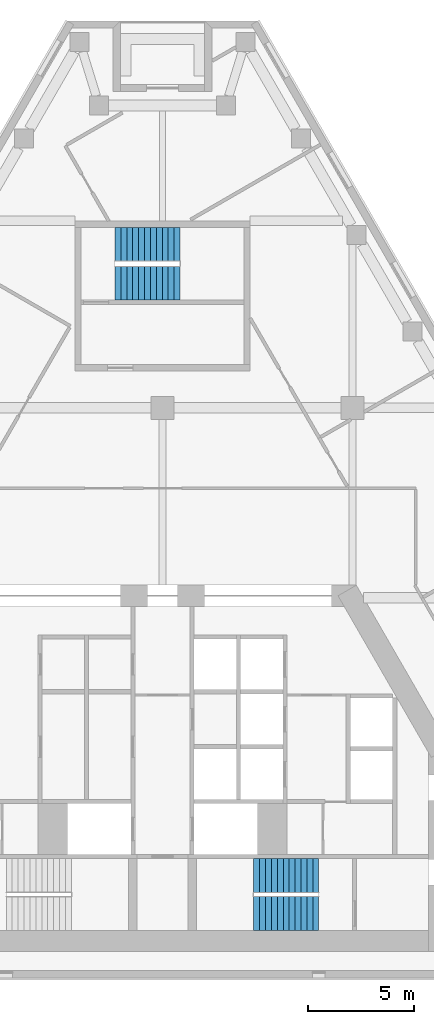
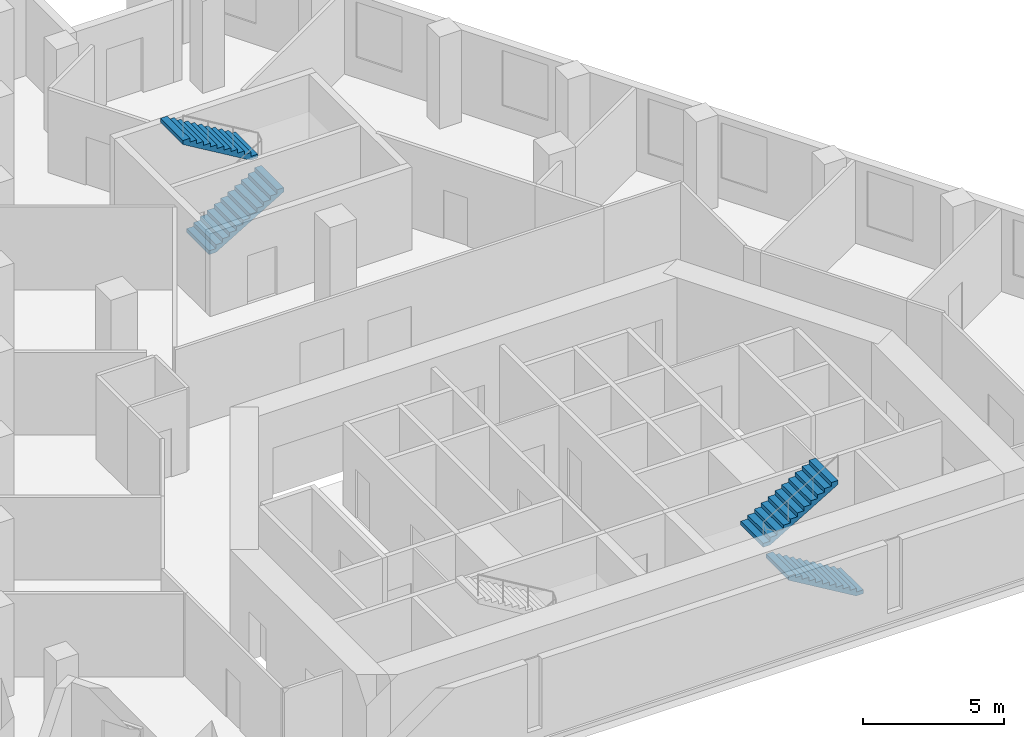
# One storey, part 6 of 7: 4 stair flights, 2 elements without a shape of their own.
"""IFC4 building model written with IfcOpenShell, lengths in metres."""

from ifc_helpers import new_model, si_unit, direction, frame, origin, place, context, subcontext, project, spatial, polyline, outline, extrude, material, type_object, element, aggregate, save


model = new_model("IFC4")

# Units and contexts
model_context = context("Model", 3, precision=1e-05, world=origin(), true_north=direction((0.0, 1.0)))
body_context = subcontext(model_context, "Body", "Model", "MODEL_VIEW")
ifc_project = project(units=[si_unit("LENGTHUNIT", "METRE"), si_unit("AREAUNIT", "SQUARE_METRE"), si_unit("VOLUMEUNIT", "CUBIC_METRE"), si_unit("PLANEANGLEUNIT", "RADIAN"), si_unit("MASSUNIT", "GRAM", prefix="KILO")], contexts=[model_context])

# Site, building, storey
site_placement = place(None, origin())
site = spatial("IfcSite", under=ifc_project, at=site_placement, CompositionType="ELEMENT")
building_placement = place(site_placement, origin())
building = spatial("IfcBuilding", under=site, at=building_placement, Name="Fogline Exchange Tower", CompositionType="ELEMENT")
storey_placement = place(building_placement, frame((0.0, 0.0, 251.5)))
storey = spatial("IfcBuildingStorey", under=building, at=storey_placement, Name="L57", CompositionType="ELEMENT", Elevation=251.5)

# Stair, stair flights
ifc_material = material(Name="Concrete C40", Category="concrete")
stair_type = type_object("IfcStairType", Name="STR24-1667", PredefinedType="HALF_TURN_STAIR", material=ifc_material)
stair_1_placement = place(storey_placement, origin())
stair_1 = element("IfcStair", 1, at=stair_1_placement, inside=storey, type_object=stair_type, Name="Stair ST2", PredefinedType="HALF_TURN_STAIR")
stair_flight_type = type_object("IfcStairFlightType", Name="SF12-1667", PredefinedType="STRAIGHT", material=ifc_material)
stair_flight_1_placement = place(storey_placement, frame((7.39990234375, 3.050048828125, 0.0), z_axis=(0.0, 0.0, 1.0), x_axis=(-1.0, 0.0, 0.0)))
stair_flight_1 = element("IfcStairFlight", 2, at=stair_flight_1_placement, type_object=stair_flight_type, Name="ST2 flight 1", NumberOfRisers=12, NumberOfTreads=11, PredefinedType="STRAIGHT", RiserHeight=0.166666667, TreadLength=0.28, context=body_context, shape_type="SweptSolid", body=[
    extrude(outline(polyline([(0.0, 0.0), (0.0, 0.166748046875), (0.280029296875, 0.166748046875), (0.280029296875, 0.333251953125), (0.56005859375, 0.333251953125), (0.56005859375, 0.5), (0.840087890625, 0.5), (0.840087890625, 0.666748046875), (1.1201171875, 0.666748046875), (1.1201171875, 0.833251953125), (1.39990234375, 0.833251953125), (1.39990234375, 1.0), (1.679931640625, 1.0), (1.679931640625, 1.166748046875), (1.9599609375, 1.166748046875), (1.9599609375, 1.333251953125), (2.239990234375, 1.333251953125), (2.239990234375, 1.5), (2.52001953125, 1.5), (2.52001953125, 1.666748046875), (2.800048828125, 1.666748046875), (2.800048828125, 1.833251953125), (3.080078125, 1.833251953125), (3.080078125, 2.0), (3.080078125, 1.658935546875), (0.29296875, 0.0), (0.0, 0.0)])), frame((0.0, 0.800048828125, 0.0), z_axis=(0.0, -1.0, 0.0), x_axis=(1.0, 0.0, 0.0)), (0.0, 0.0, 1.0), 1.60009765625),
])
stair_flight_2_placement = place(storey_placement, frame((4.320068359375, 4.85009765625, 2.0), z_axis=(0.0, 0.0, 1.0), x_axis=(1.0, 0.0, 0.0)))
stair_flight_2 = element("IfcStairFlight", 3, at=stair_flight_2_placement, type_object=stair_flight_type, Name="ST2 flight 2", NumberOfRisers=12, NumberOfTreads=11, PredefinedType="STRAIGHT", RiserHeight=0.166666667, TreadLength=0.28, context=body_context, shape_type="SweptSolid", body=[
    extrude(outline(polyline([(0.0, 0.0), (0.0, 0.166748046875), (0.280029296875, 0.166748046875), (0.280029296875, 0.333251953125), (0.56005859375, 0.333251953125), (0.56005859375, 0.5), (0.840087890625, 0.5), (0.840087890625, 0.666748046875), (1.1201171875, 0.666748046875), (1.1201171875, 0.833251953125), (1.39990234375, 0.833251953125), (1.39990234375, 1.0), (1.679931640625, 1.0), (1.679931640625, 1.166748046875), (1.9599609375, 1.166748046875), (1.9599609375, 1.333251953125), (2.239990234375, 1.333251953125), (2.239990234375, 1.5), (2.52001953125, 1.5), (2.52001953125, 1.666748046875), (2.800048828125, 1.666748046875), (2.800048828125, 1.833251953125), (3.080078125, 1.833251953125), (3.080078125, 2.0), (3.080078125, 1.658935546875), (0.29296875, 0.0), (0.0, 0.0)])), frame((0.0, 0.800048828125, 0.0), z_axis=(0.0, -1.0, 0.0), x_axis=(1.0, 0.0, 0.0)), (0.0, 0.0, 1.0), 1.60009765625),
])
aggregate(stair_1, [stair_flight_1, stair_flight_2])

stair_2_placement = place(storey_placement, origin())
stair_2 = element("IfcStair", 4, at=stair_2_placement, inside=storey, type_object=stair_type, Name="Stair ST3", PredefinedType="HALF_TURN_STAIR")
stair_flight_3_placement = place(storey_placement, frame((-2.25, 32.906982421875, 0.0), z_axis=(0.0, 0.0, 1.0), x_axis=(1.0, 0.0, 0.0)))
stair_flight_3 = element("IfcStairFlight", 5, at=stair_flight_3_placement, type_object=stair_flight_type, Name="ST3 flight 1", NumberOfRisers=12, NumberOfTreads=11, PredefinedType="STRAIGHT", RiserHeight=0.166666667, TreadLength=0.28, context=body_context, shape_type="SweptSolid", body=[
    extrude(outline(polyline([(0.0, 0.0), (0.0, 0.166748046875), (0.280029296875, 0.166748046875), (0.280029296875, 0.333251953125), (0.56005859375, 0.333251953125), (0.56005859375, 0.5), (0.840087890625, 0.5), (0.840087890625, 0.666748046875), (1.1201171875, 0.666748046875), (1.1201171875, 0.833251953125), (1.39990234375, 0.833251953125), (1.39990234375, 1.0), (1.679931640625, 1.0), (1.679931640625, 1.166748046875), (1.9599609375, 1.166748046875), (1.9599609375, 1.333251953125), (2.239990234375, 1.333251953125), (2.239990234375, 1.5), (2.52001953125, 1.5), (2.52001953125, 1.666748046875), (2.800048828125, 1.666748046875), (2.800048828125, 1.833251953125), (3.080078125, 1.833251953125), (3.080078125, 2.0), (3.080078125, 1.658935546875), (0.29296875, 0.0), (0.0, 0.0)])), frame((0.0, 0.800048828125, 0.0), z_axis=(0.0, -1.0, 0.0), x_axis=(1.0, 0.0, 0.0)), (0.0, 0.0, 1.0), 1.60009765625),
])
stair_flight_4_placement = place(storey_placement, frame((0.830078125, 34.757080078125, 2.0), z_axis=(0.0, 0.0, 1.0), x_axis=(-1.0, 0.0, 0.0)))
stair_flight_4 = element("IfcStairFlight", 6, at=stair_flight_4_placement, type_object=stair_flight_type, Name="ST3 flight 2", NumberOfRisers=12, NumberOfTreads=11, PredefinedType="STRAIGHT", RiserHeight=0.166666667, TreadLength=0.28, context=body_context, shape_type="SweptSolid", body=[
    extrude(outline(polyline([(0.0, 0.0), (0.0, 0.166748046875), (0.280029296875, 0.166748046875), (0.280029296875, 0.333251953125), (0.56005859375, 0.333251953125), (0.56005859375, 0.5), (0.840087890625, 0.5), (0.840087890625, 0.666748046875), (1.1201171875, 0.666748046875), (1.1201171875, 0.833251953125), (1.39990234375, 0.833251953125), (1.39990234375, 1.0), (1.679931640625, 1.0), (1.679931640625, 1.166748046875), (1.9599609375, 1.166748046875), (1.9599609375, 1.333251953125), (2.239990234375, 1.333251953125), (2.239990234375, 1.5), (2.52001953125, 1.5), (2.52001953125, 1.666748046875), (2.800048828125, 1.666748046875), (2.800048828125, 1.833251953125), (3.080078125, 1.833251953125), (3.080078125, 2.0), (3.080078125, 1.658935546875), (0.29296875, 0.0), (0.0, 0.0)])), frame((0.0, 0.800048828125, 0.0), z_axis=(0.0, -1.0, 0.0), x_axis=(1.0, 0.0, 0.0)), (0.0, 0.0, 1.0), 1.60009765625),
])
aggregate(stair_2, [stair_flight_3, stair_flight_4])

save(model, "model.ifc")
